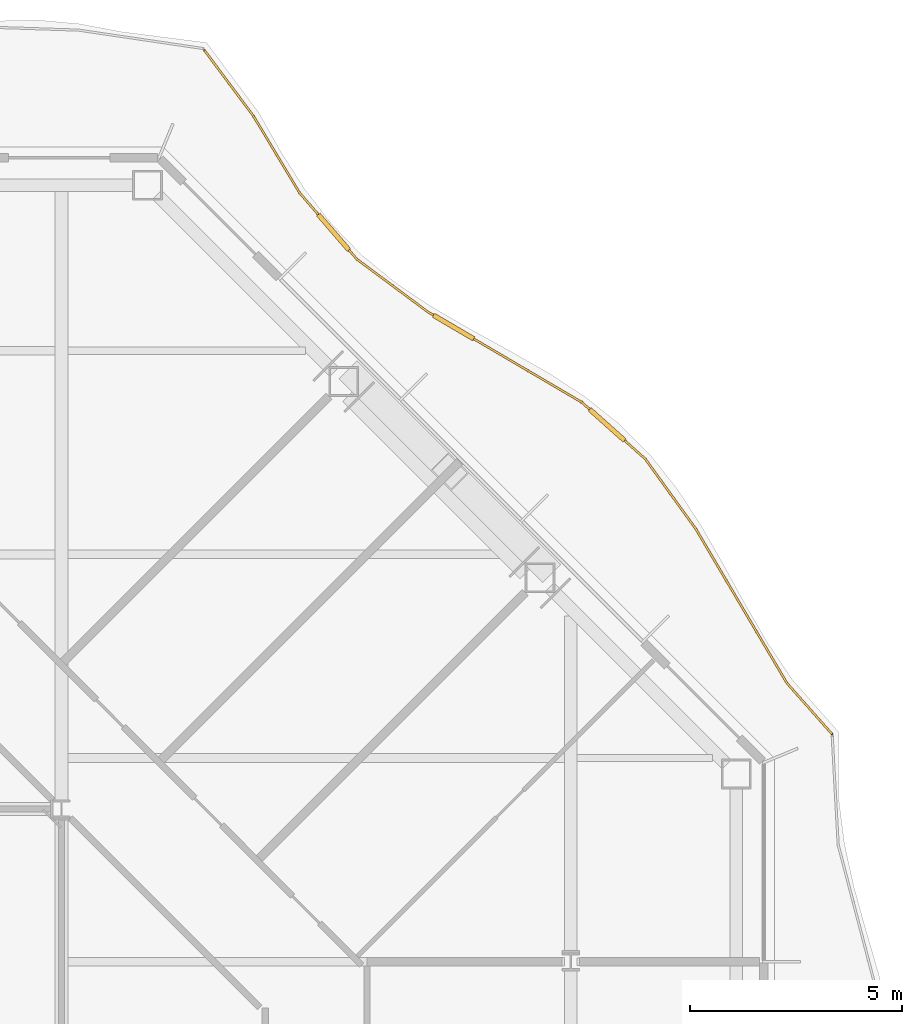
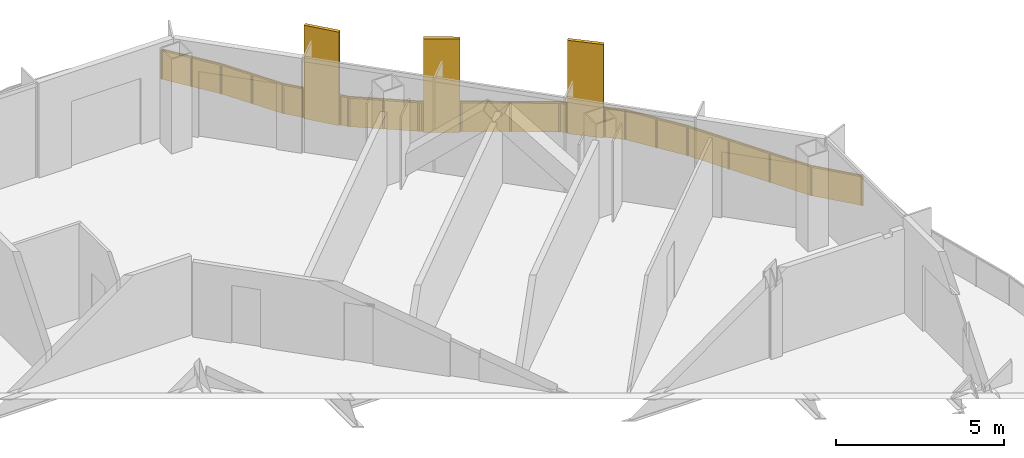
# One storey, part 22 of 22: 1 railing.
"""IFC4 building model written with IfcOpenShell, lengths in metres."""

from ifc_helpers import new_model, si_unit, direction, frame, origin, origin_2d, place, context, subcontext, project, spatial, polyline, rectangle, outline, extrude, material, type_object, element, save


model = new_model("IFC4")

# Units and contexts
model_context = context("Model", 3, precision=1e-05, world=origin(), true_north=direction((0.0, 1.0)))
body_context = subcontext(model_context, "Body", "Model", "MODEL_VIEW")
ifc_project = project(units=[si_unit("LENGTHUNIT", "METRE"), si_unit("AREAUNIT", "SQUARE_METRE"), si_unit("VOLUMEUNIT", "CUBIC_METRE"), si_unit("PLANEANGLEUNIT", "RADIAN"), si_unit("MASSUNIT", "GRAM", prefix="KILO")], contexts=[model_context])

# Site, building, storey
site_placement = place(None, origin())
site = spatial("IfcSite", under=ifc_project, at=site_placement, CompositionType="ELEMENT")
building_placement = place(site_placement, origin())
building = spatial("IfcBuilding", under=site, at=building_placement, Name="Cairn Pilgrim Tower", CompositionType="ELEMENT")
storey_placement = place(building_placement, frame((0.0, 0.0, 147.0)))
storey = spatial("IfcBuildingStorey", under=building, at=storey_placement, Name="L36", CompositionType="ELEMENT", Elevation=147.0)

# Railing
ifc_material = material(Name="Bronze anodised aluminium rail, posts and fin screens with laminated glass infill", Category="aluminium")
railing_type = type_object("IfcRailingType", Name="BALCONY GUARD WITH FIN SCREENS", PredefinedType="GUARDRAIL", material=ifc_material)
railing_placement = place(storey_placement, frame((37.36083984375, 14.964111328125, 0.0)))
element("IfcRailing", 1, at=railing_placement, inside=storey, type_object=railing_type, Name="Balcony guard BGF-4 with fin screens", PredefinedType="GUARDRAIL", context=body_context, shape_type="SweptSolid", body=[
    extrude(rectangle(XDim=0.050048828125, YDim=0.050048828125, at=origin_2d()), frame((0.0, 0.0, 1.0751953125), z_axis=(-0.662750771144, 0.748840046571, 0.0), x_axis=(-0.748840046571, -0.662750771144, 0.0)), (0.0, 0.0, 1.0), 1.60791015625),
    extrude(rectangle(XDim=0.050048828125, YDim=0.050048828125, at=origin_2d()), frame((-1.065673828125, 1.2041015625, 1.0751953125), z_axis=(-0.508612168448, 0.860995738727, 0.0), x_axis=(-0.860995738727, -0.508612168448, 0.0)), (0.0, 0.0, 1.0), 4.213134765625),
    extrude(rectangle(XDim=0.050048828125, YDim=0.050048828125, at=origin_2d()), frame((-3.20849609375, 4.83154296875, 1.0751953125), z_axis=(-0.585171493169, 0.8109095656, 0.0), x_axis=(-0.8109095656, -0.585171493169, 0.0)), (0.0, 0.0, 1.0), 2.039794921875),
    extrude(rectangle(XDim=1.10009765625, YDim=0.110107421875, at=origin_2d()), frame((-5.301513671875, 7.287841796875, 0.0), z_axis=(0.0, 0.0, 1.0), x_axis=(-0.746248112561, 0.665667901058, 0.0)), (0.0, 0.0, 1.0), 3.39990234375),
    extrude(rectangle(XDim=0.050048828125, YDim=0.050048828125, at=origin_2d()), frame((-4.402099609375, 6.485595703125, 1.0751953125), z_axis=(-0.746248112561, 0.665667901058, 0.0), x_axis=(-0.665667901058, -0.746248112561, 0.0)), (0.0, 0.0, 1.0), 0.6552734375),
    extrude(rectangle(XDim=0.050048828125, YDim=0.050048828125, at=origin_2d()), frame((-5.7119140625, 7.654052734375, 1.0751953125), z_axis=(-0.746248112561, 0.665667901058, 0.0), x_axis=(-0.665667901058, -0.746248112561, 0.0)), (0.0, 0.0, 1.0), 0.25341796875),
    extrude(rectangle(XDim=1.10009765625, YDim=0.110107421875, at=origin_2d()), frame((-8.9208984375, 9.59521484375, 0.0), z_axis=(0.0, 0.0, 1.0), x_axis=(-0.862405857678, 0.506217479591, 0.0)), (0.0, 0.0, 1.0), 3.39990234375),
    extrude(rectangle(XDim=0.050048828125, YDim=0.050048828125, at=origin_2d()), frame((-5.901123046875, 7.82275390625, 1.0751953125), z_axis=(-0.862405857678, 0.506217479591, 0.0), x_axis=(-0.506217479591, -0.862405857678, 0.0)), (0.0, 0.0, 1.0), 2.95166015625),
    extrude(rectangle(XDim=0.050048828125, YDim=0.050048828125, at=origin_2d()), frame((-9.395263671875, 9.873779296875, 1.0751953125), z_axis=(-0.862405857678, 0.506217479591, 0.0), x_axis=(-0.506217479591, -0.862405857678, 0.0)), (0.0, 0.0, 1.0), 0.150146484375),
    extrude(rectangle(XDim=0.050048828125, YDim=0.050048828125, at=origin_2d()), frame((-9.524658203125, 9.94970703125, 1.0751953125), z_axis=(-0.802971384264, 0.596017580322, 0.0), x_axis=(-0.596017580322, -0.802971384264, 0.0)), (0.0, 0.0, 1.0), 2.083251953125),
    extrude(rectangle(XDim=1.10009765625, YDim=0.110107421875, at=origin_2d()), frame((-11.747802734375, 11.82861328125, 0.0), z_axis=(0.0, 0.0, 1.0), x_axis=(-0.653718068255, 0.756738189361, 0.0)), (0.0, 0.0, 1.0), 3.39990234375),
    extrude(rectangle(XDim=0.050048828125, YDim=0.050048828125, at=origin_2d()), frame((-11.197509765625, 11.19140625, 1.0751953125), z_axis=(-0.653718068255, 0.756738189361, 0.0), x_axis=(-0.756738189361, -0.653718068255, 0.0)), (0.0, 0.0, 1.0), 0.2919921875),
    extrude(rectangle(XDim=0.050048828125, YDim=0.050048828125, at=origin_2d()), frame((-12.107421875, 12.24462890625, 1.0751953125), z_axis=(-0.653718068255, 0.756738189361, 0.0), x_axis=(-0.756738189361, -0.653718068255, 0.0)), (0.0, 0.0, 1.0), 0.679443359375),
    extrude(rectangle(XDim=0.050048828125, YDim=0.050048828125, at=origin_2d()), frame((-12.551513671875, 12.7587890625, 1.0751953125), z_axis=(-0.514615171293, 0.857421264884, 0.0), x_axis=(-0.857421264884, -0.514615171293, 0.0)), (0.0, 0.0, 1.0), 2.1044921875),
    extrude(rectangle(XDim=0.050048828125, YDim=0.050048828125, at=origin_2d()), frame((-13.634521484375, 14.563232421875, 1.0751953125), z_axis=(-0.597832146357, 0.801621310085, 0.0), x_axis=(-0.801621310085, -0.597832146357, 0.0)), (0.0, 0.0, 1.0), 1.929931640625),
    extrude(rectangle(XDim=0.050048828125, YDim=0.050048828125, at=origin_2d()), origin(), (0.0, 0.0, 1.0), 1.050048828125),
    extrude(rectangle(XDim=0.050048828125, YDim=0.050048828125, at=origin_2d()), frame((-1.065673828125, 1.2041015625, 0.0)), (0.0, 0.0, 1.0), 1.050048828125),
    extrude(rectangle(XDim=0.050048828125, YDim=0.050048828125, at=origin_2d()), frame((-1.780029296875, 2.413330078125, 0.0)), (0.0, 0.0, 1.0), 1.050048828125),
    extrude(rectangle(XDim=0.050048828125, YDim=0.050048828125, at=origin_2d()), frame((-2.494140625, 3.622314453125, 0.0)), (0.0, 0.0, 1.0), 1.050048828125),
    extrude(rectangle(XDim=0.050048828125, YDim=0.050048828125, at=origin_2d()), frame((-3.20849609375, 4.83154296875, 0.0)), (0.0, 0.0, 1.0), 1.050048828125),
    extrude(rectangle(XDim=0.050048828125, YDim=0.050048828125, at=origin_2d()), frame((-3.80517578125, 5.65869140625, 0.0)), (0.0, 0.0, 1.0), 1.050048828125),
    extrude(rectangle(XDim=0.050048828125, YDim=0.050048828125, at=origin_2d()), frame((-4.402099609375, 6.485595703125, 0.0)), (0.0, 0.0, 1.0), 1.050048828125),
    extrude(rectangle(XDim=0.050048828125, YDim=0.050048828125, at=origin_2d()), frame((-4.87255859375, 6.9052734375, 0.0)), (0.0, 0.0, 1.0), 1.050048828125),
    extrude(rectangle(XDim=0.050048828125, YDim=0.050048828125, at=origin_2d()), frame((-5.730712890625, 7.670654296875, 0.0)), (0.0, 0.0, 1.0), 1.050048828125),
    extrude(rectangle(XDim=0.050048828125, YDim=0.050048828125, at=origin_2d()), frame((-5.901123046875, 7.82275390625, 0.0)), (0.0, 0.0, 1.0), 1.050048828125),
    extrude(rectangle(XDim=0.050048828125, YDim=0.050048828125, at=origin_2d()), frame((-7.1630859375, 8.5634765625, 0.0)), (0.0, 0.0, 1.0), 1.050048828125),
    extrude(rectangle(XDim=0.050048828125, YDim=0.050048828125, at=origin_2d()), frame((-8.425048828125, 9.30419921875, 0.0)), (0.0, 0.0, 1.0), 1.050048828125),
    extrude(rectangle(XDim=0.050048828125, YDim=0.050048828125, at=origin_2d()), frame((-9.416748046875, 9.886474609375, 0.0)), (0.0, 0.0, 1.0), 1.050048828125),
    extrude(rectangle(XDim=0.050048828125, YDim=0.050048828125, at=origin_2d()), frame((-9.524658203125, 9.94970703125, 0.0)), (0.0, 0.0, 1.0), 1.050048828125),
    extrude(rectangle(XDim=0.050048828125, YDim=0.050048828125, at=origin_2d()), frame((-10.361083984375, 10.570556640625, 0.0)), (0.0, 0.0, 1.0), 1.050048828125),
    extrude(rectangle(XDim=0.050048828125, YDim=0.050048828125, at=origin_2d()), frame((-11.197509765625, 11.19140625, 0.0)), (0.0, 0.0, 1.0), 1.050048828125),
    extrude(rectangle(XDim=0.050048828125, YDim=0.050048828125, at=origin_2d()), frame((-11.3720703125, 11.393310546875, 0.0)), (0.0, 0.0, 1.0), 1.050048828125),
    extrude(rectangle(XDim=0.050048828125, YDim=0.050048828125, at=origin_2d()), frame((-12.123779296875, 12.263671875, 0.0)), (0.0, 0.0, 1.0), 1.050048828125),
    extrude(rectangle(XDim=0.050048828125, YDim=0.050048828125, at=origin_2d()), frame((-12.551513671875, 12.7587890625, 0.0)), (0.0, 0.0, 1.0), 1.050048828125),
    extrude(rectangle(XDim=0.050048828125, YDim=0.050048828125, at=origin_2d()), frame((-13.093017578125, 13.6611328125, 0.0)), (0.0, 0.0, 1.0), 1.050048828125),
    extrude(rectangle(XDim=0.050048828125, YDim=0.050048828125, at=origin_2d()), frame((-13.634521484375, 14.563232421875, 0.0)), (0.0, 0.0, 1.0), 1.050048828125),
    extrude(rectangle(XDim=0.050048828125, YDim=0.050048828125, at=origin_2d()), frame((-14.21142578125, 15.3369140625, 0.0)), (0.0, 0.0, 1.0), 1.050048828125),
    extrude(rectangle(XDim=0.050048828125, YDim=0.050048828125, at=origin_2d()), frame((-14.788330078125, 16.1103515625, 0.0)), (0.0, 0.0, 1.0), 1.050048828125),
    extrude(outline(polyline([(0.02490234375, 0.0), (1.5830078125, 0.0), (1.5830078125, 1.050048828125), (0.02490234375, 1.050048828125), (0.02490234375, 0.0)])), frame((-0.00439453125, -0.00390625, 0.0), z_axis=(0.748840046571, 0.662750771144, 0.0), x_axis=(-0.662750771144, 0.748840046571, 0.0)), (0.0, 0.0, 1.0), 0.011962890625),
    extrude(outline(polyline([(0.02490234375, 0.0), (1.37939453125, 0.0), (1.37939453125, 1.050048828125), (0.02490234375, 1.050048828125), (0.02490234375, 0.0)])), frame((-1.07080078125, 1.201171875, 0.0), z_axis=(0.860995738727, 0.508612168448, 0.0), x_axis=(-0.508612168448, 0.860995738727, 0.0)), (0.0, 0.0, 1.0), 0.011962890625),
    extrude(outline(polyline([(0.02490234375, 0.0), (1.37939453125, 0.0), (1.37939453125, 1.050048828125), (0.02490234375, 1.050048828125), (0.02490234375, 0.0)])), frame((-1.78515625, 2.41015625, 0.0), z_axis=(0.860995738727, 0.508612168448, 0.0), x_axis=(-0.508612168448, 0.860995738727, 0.0)), (0.0, 0.0, 1.0), 0.011962890625),
    extrude(outline(polyline([(0.02490234375, 0.0), (1.37939453125, 0.0), (1.37939453125, 1.050048828125), (0.02490234375, 1.050048828125), (0.02490234375, 0.0)])), frame((-2.499267578125, 3.619384765625, 0.0), z_axis=(0.860995738727, 0.508612168448, 0.0), x_axis=(-0.508612168448, 0.860995738727, 0.0)), (0.0, 0.0, 1.0), 0.011962890625),
    extrude(outline(polyline([(0.02490234375, 0.0), (0.994873046875, 0.0), (0.994873046875, 1.050048828125), (0.02490234375, 1.050048828125), (0.02490234375, 0.0)])), frame((-3.21337890625, 4.828125, 0.0), z_axis=(0.8109095656, 0.585171493169, 0.0), x_axis=(-0.585171493169, 0.8109095656, 0.0)), (0.0, 0.0, 1.0), 0.011962890625),
    extrude(outline(polyline([(0.02490234375, 0.0), (0.994873046875, 0.0), (0.994873046875, 1.050048828125), (0.02490234375, 1.050048828125), (0.02490234375, 0.0)])), frame((-3.81005859375, 5.655029296875, 0.0), z_axis=(0.8109095656, 0.585171493169, 0.0), x_axis=(-0.585171493169, 0.8109095656, 0.0)), (0.0, 0.0, 1.0), 0.011962890625),
    extrude(outline(polyline([(0.02490234375, 0.0), (0.605224609375, 0.0), (0.605224609375, 1.050048828125), (0.02490234375, 1.050048828125), (0.02490234375, 0.0)])), frame((-4.406005859375, 6.481201171875, 0.0), z_axis=(0.665667901058, 0.746248112561, 0.0), x_axis=(-0.746248112561, 0.665667901058, 0.0)), (0.0, 0.0, 1.0), 0.011962890625),
    extrude(outline(polyline([(0.02490234375, 0.0), (0.203369140625, 0.0), (0.203369140625, 1.050048828125), (0.02490234375, 1.050048828125), (0.02490234375, 0.0)])), frame((-5.734619140625, 7.666259765625, 0.0), z_axis=(0.665667901058, 0.746248112561, 0.0), x_axis=(-0.746248112561, 0.665667901058, 0.0)), (0.0, 0.0, 1.0), 0.011962890625),
    extrude(outline(polyline([(0.02490234375, 0.0), (1.438232421875, 0.0), (1.438232421875, 1.050048828125), (0.02490234375, 1.050048828125), (0.02490234375, 0.0)])), frame((-5.904052734375, 7.817626953125, 0.0), z_axis=(0.506217479591, 0.862405857678, 0.0), x_axis=(-0.862405857678, 0.506217479591, 0.0)), (0.0, 0.0, 1.0), 0.011962890625),
    extrude(outline(polyline([(0.02490234375, 0.0), (1.438232421875, 0.0), (1.438232421875, 1.050048828125), (0.02490234375, 1.050048828125), (0.02490234375, 0.0)])), frame((-7.166015625, 8.558349609375, 0.0), z_axis=(0.506217479591, 0.862405857678, 0.0), x_axis=(-0.862405857678, 0.506217479591, 0.0)), (0.0, 0.0, 1.0), 0.011962890625),
    extrude(outline(polyline([(0.02490234375, 0.0), (0.10009765625, 0.0), (0.10009765625, 1.050048828125), (0.02490234375, 1.050048828125), (0.02490234375, 0.0)])), frame((-9.419921875, 9.88134765625, 0.0), z_axis=(0.506217479591, 0.862405857678, 0.0), x_axis=(-0.862405857678, 0.506217479591, 0.0)), (0.0, 0.0, 1.0), 0.011962890625),
    extrude(outline(polyline([(0.02490234375, 0.0), (1.0166015625, 0.0), (1.0166015625, 1.050048828125), (0.02490234375, 1.050048828125), (0.02490234375, 0.0)])), frame((-9.5283203125, 9.94482421875, 0.0), z_axis=(0.596017580322, 0.802971384264, 0.0), x_axis=(-0.802971384264, 0.596017580322, 0.0)), (0.0, 0.0, 1.0), 0.011962890625),
    extrude(outline(polyline([(0.02490234375, 0.0), (1.0166015625, 0.0), (1.0166015625, 1.050048828125), (0.02490234375, 1.050048828125), (0.02490234375, 0.0)])), frame((-10.36474609375, 10.565673828125, 0.0), z_axis=(0.596017580322, 0.802971384264, 0.0), x_axis=(-0.802971384264, 0.596017580322, 0.0)), (0.0, 0.0, 1.0), 0.011962890625),
    extrude(outline(polyline([(0.02490234375, 0.0), (0.241943359375, 0.0), (0.241943359375, 1.050048828125), (0.02490234375, 1.050048828125), (0.02490234375, 0.0)])), frame((-11.2021484375, 11.1875, 0.0), z_axis=(0.756738189361, 0.653718068255, 0.0), x_axis=(-0.653718068255, 0.756738189361, 0.0)), (0.0, 0.0, 1.0), 0.011962890625),
    extrude(outline(polyline([(0.02490234375, 0.0), (0.62939453125, 0.0), (0.62939453125, 1.050048828125), (0.02490234375, 1.050048828125), (0.02490234375, 0.0)])), frame((-12.128173828125, 12.259765625, 0.0), z_axis=(0.756738189361, 0.653718068255, 0.0), x_axis=(-0.653718068255, 0.756738189361, 0.0)), (0.0, 0.0, 1.0), 0.011962890625),
    extrude(outline(polyline([(0.02490234375, 0.0), (1.02734375, 0.0), (1.02734375, 1.050048828125), (0.02490234375, 1.050048828125), (0.02490234375, 0.0)])), frame((-12.556640625, 12.755615234375, 0.0), z_axis=(0.857421264884, 0.514615171293, 0.0), x_axis=(-0.514615171293, 0.857421264884, 0.0)), (0.0, 0.0, 1.0), 0.011962890625),
    extrude(outline(polyline([(0.02490234375, 0.0), (1.02734375, 0.0), (1.02734375, 1.050048828125), (0.02490234375, 1.050048828125), (0.02490234375, 0.0)])), frame((-13.09814453125, 13.657958984375, 0.0), z_axis=(0.857421264884, 0.514615171293, 0.0), x_axis=(-0.514615171293, 0.857421264884, 0.0)), (0.0, 0.0, 1.0), 0.011962890625),
    extrude(outline(polyline([(0.02490234375, 0.0), (0.93994140625, 0.0), (0.93994140625, 1.050048828125), (0.02490234375, 1.050048828125), (0.02490234375, 0.0)])), frame((-13.639404296875, 14.5595703125, 0.0), z_axis=(0.801621310085, 0.597832146357, 0.0), x_axis=(-0.597832146357, 0.801621310085, 0.0)), (0.0, 0.0, 1.0), 0.011962890625),
    extrude(outline(polyline([(0.02490234375, 0.0), (0.93994140625, 0.0), (0.93994140625, 1.050048828125), (0.02490234375, 1.050048828125), (0.02490234375, 0.0)])), frame((-14.21630859375, 15.333251953125, 0.0), z_axis=(0.801621310085, 0.597832146357, 0.0), x_axis=(-0.597832146357, 0.801621310085, 0.0)), (0.0, 0.0, 1.0), 0.011962890625),
])

save(model, "model.ifc")
